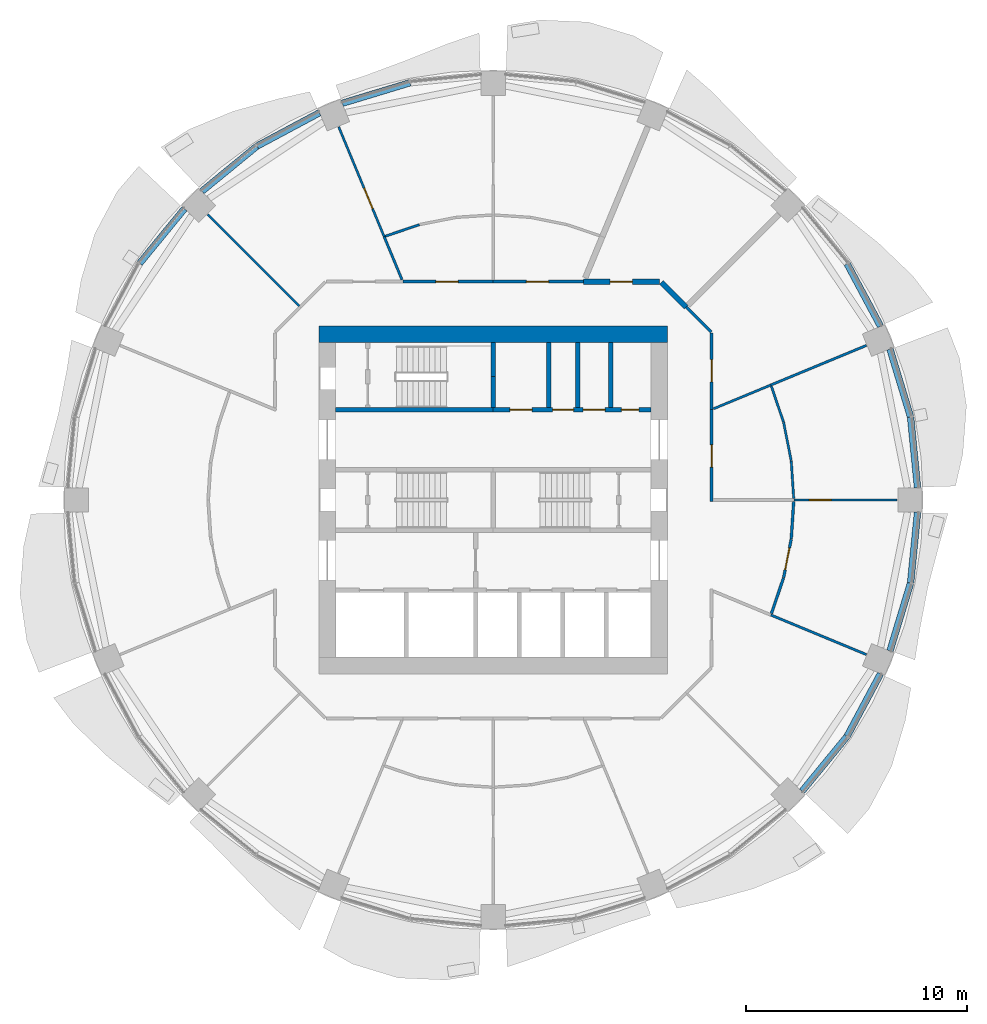
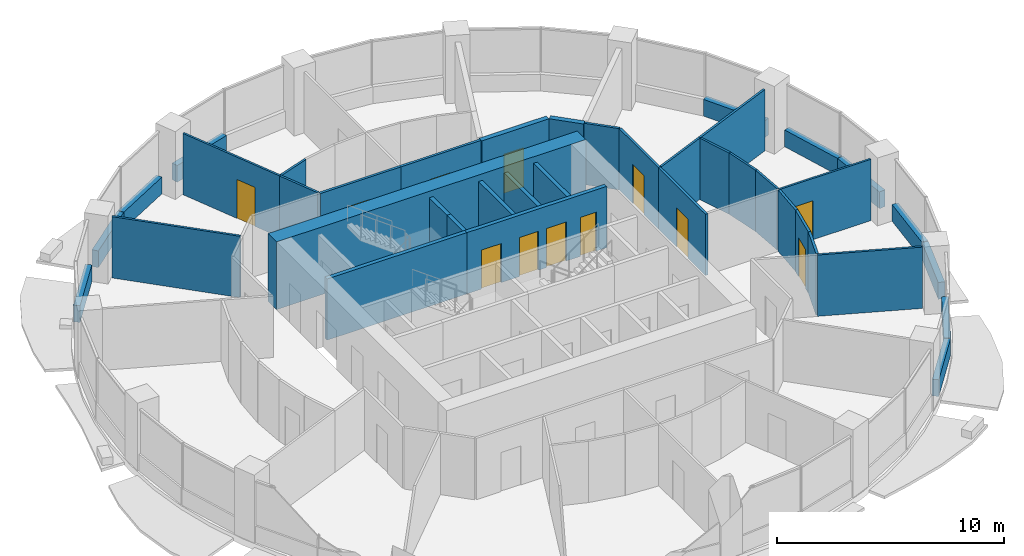
# One storey, part 10 of 15: 40 walls, 12 doors, 12 openings.
"""IFC4 building model written with IfcOpenShell, lengths in metres."""

from ifc_helpers import new_model, si_unit, direction, frame, frame_2d, origin, place, context, subcontext, project, spatial, rectangle, extrude, material, layer, layer_set, type_object, element, fill, save


model = new_model("IFC4")

# Units and contexts
model_context = context("Model", 3, precision=1e-05, world=origin(), true_north=direction((0.0, 1.0)))
body_context = subcontext(model_context, "Body", "Model", "MODEL_VIEW")
ifc_project = project(units=[si_unit("LENGTHUNIT", "METRE"), si_unit("AREAUNIT", "SQUARE_METRE"), si_unit("VOLUMEUNIT", "CUBIC_METRE"), si_unit("PLANEANGLEUNIT", "RADIAN"), si_unit("MASSUNIT", "GRAM", prefix="KILO")], contexts=[model_context])

# Site, building, storey
site_placement = place(None, origin())
site = spatial("IfcSite", under=ifc_project, at=site_placement, CompositionType="ELEMENT")
building_placement = place(site_placement, origin())
building = spatial("IfcBuilding", under=site, at=building_placement, Name="Polderwave Tower", CompositionType="ELEMENT")
storey_placement = place(building_placement, frame((0.0, 0.0, 80.050048828125)))
storey = spatial("IfcBuildingStorey", under=building, at=storey_placement, Name="L20", CompositionType="ELEMENT", Elevation=80.050048828125)

# Walls
ifc_material_1 = material(Name="Concrete C70/85", Category="concrete")
ifc_layer_1 = layer(ifc_material_1, 0.75)
ifc_layer_set_1 = layer_set([ifc_layer_1], Name="CORE WALL 750 C70/85")
wall_type_1 = type_object("IfcWallType", Name="CORE WALL 750 C70/85", PredefinedType="SHEAR", material=ifc_layer_set_1)
wall_1_placement = place(storey_placement, frame((-7.8740234375, 7.4990234375, 0.0), z_axis=(0.0, 0.0, 1.0), x_axis=(1.0, 0.0, 0.0)))
element("IfcWall", 1, at=wall_1_placement, inside=storey, type_object=wall_type_1, Name="ST-CORE-L20-N", PredefinedType="SHEAR", context=body_context, shape_type="SweptSolid", body=[
    extrude(rectangle(XDim=15.748046875, YDim=0.75, at=frame_2d((7.8740234375, 0.0))), origin(), (0.0, 0.0, 1.0), 3.64990234375),
])
ifc_material_2 = material(Name="Concrete C50/60 (board-marked)", Category="concrete")
ifc_layer_2 = layer(ifc_material_2, 0.300048828125)
ifc_layer_set_2 = layer_set([ifc_layer_2], Name="Concrete spandrel upstand C50/60")
wall_type_2 = type_object("IfcWallType", Name="Concrete spandrel upstand C50/60", PredefinedType="SOLIDWALL", material=ifc_layer_set_2)
wall_2_placement = place(storey_placement, frame((19.1845703125, 0.56396484375, 0.0), z_axis=(0.0, 0.0, 1.0), x_axis=(-0.098131861065, 0.995173420989, 0.0)))
element("IfcWall", 2, at=wall_2_placement, inside=storey, type_object=wall_type_2, Name="Spandrel L20 1a", PredefinedType="SOLIDWALL", context=body_context, shape_type="SweptSolid", body=[
    extrude(rectangle(XDim=3.189453125, YDim=0.300048828125, at=frame_2d((1.5947265625, 0.0))), origin(), (0.0, 0.0, 1.0), 0.89990234375),
])
wall_3_placement = place(storey_placement, frame((18.865478515625, 3.767333984375, 0.0), z_axis=(0.0, 0.0, 1.0), x_axis=(-0.290238876314, 0.956954228099, 0.0)))
element("IfcWall", 3, at=wall_3_placement, inside=storey, type_object=wall_type_2, Name="Spandrel L20 1b", PredefinedType="SOLIDWALL", context=body_context, shape_type="SweptSolid", body=[
    extrude(rectangle(XDim=3.190673828125, YDim=0.300048828125, at=frame_2d((1.59521484375, 0.0))), origin(), (0.0, 0.0, 1.0), 0.89990234375),
])
wall_4_placement = place(storey_placement, frame((17.5078125, 7.8623046875, 0.0), z_axis=(0.0, 0.0, 1.0), x_axis=(-0.471354692163, 0.8819437364, 0.0)))
element("IfcWall", 4, at=wall_4_placement, inside=storey, type_object=wall_type_2, Name="Spandrel L20 2a", PredefinedType="SOLIDWALL", context=body_context, shape_type="SweptSolid", body=[
    extrude(rectangle(XDim=3.190185546875, YDim=0.300048828125, at=frame_2d((1.59521484375, 0.0))), origin(), (0.0, 0.0, 1.0), 0.89990234375),
])
wall_5_placement = place(storey_placement, frame((-3.767333984375, 18.865478515625, 0.0), z_axis=(0.0, 0.0, 1.0), x_axis=(-0.956954228099, -0.290238876314, 0.0)))
element("IfcWall", 5, at=wall_5_placement, inside=storey, type_object=wall_type_2, Name="Spandrel L20 5b", PredefinedType="SOLIDWALL", context=body_context, shape_type="SweptSolid", body=[
    extrude(rectangle(XDim=3.190673828125, YDim=0.300048828125, at=frame_2d((1.59521484375, 0.0))), origin(), (0.0, 0.0, 1.0), 0.89990234375),
])
for number, where, z_axis, x_axis, name in (
    (6, (-7.8623046875, 17.5078125, 0.0), (0.0, 0.0, 1.0), (-0.8819437364, -0.471354692163, 0.0), "Spandrel L20 6a"),
    (7, (-10.70068359375, 15.987548828125, 0.0), (0.0, 0.0, 1.0), (-0.773240773387, -0.63411253447, 0.0), "Spandrel L20 6b"),
    (8, (-13.964599609375, 13.16748046875, 0.0), (0.0, 0.0, 1.0), (-0.63411253447, -0.773240773387, 0.0), "Spandrel L20 7a"),
    (9, (13.964599609375, -13.16748046875, 0.0), (0.0, 0.0, 1.0), (0.63411253447, 0.773240773387, 0.0), "Spandrel L20 15a"),
    (10, (16.004150390625, -10.67578125, 0.0), (0.0, 0.0, 1.0), (0.471354692163, 0.8819437364, 0.0), "Spandrel L20 15b"),
):
    element("IfcWall", number, at=place(storey_placement, frame(where, z_axis=z_axis, x_axis=x_axis)), inside=storey, type_object=wall_type_2, Name=name, PredefinedType="SOLIDWALL", context=body_context, shape_type="SweptSolid", body=[
        extrude(rectangle(XDim=3.190185546875, YDim=0.300048828125, at=frame_2d((1.59521484375, 0.0))), origin(), (0.0, 0.0, 1.0), 0.89990234375),
    ])
wall_6_placement = place(storey_placement, frame((17.939453125, -6.820556640625, 0.0), z_axis=(0.0, 0.0, 1.0), x_axis=(0.290238876314, 0.956954228099, 0.0)))
element("IfcWall", 11, at=wall_6_placement, inside=storey, type_object=wall_type_2, Name="Spandrel L20 16a", PredefinedType="SOLIDWALL", context=body_context, shape_type="SweptSolid", body=[
    extrude(rectangle(XDim=3.190673828125, YDim=0.300048828125, at=frame_2d((1.59521484375, 0.0))), origin(), (0.0, 0.0, 1.0), 0.89990234375),
])
wall_7_placement = place(storey_placement, frame((18.87158203125, -3.738037109375, 0.0), z_axis=(0.0, 0.0, 1.0), x_axis=(0.098131861065, 0.995173420989, 0.0)))
element("IfcWall", 12, at=wall_7_placement, inside=storey, type_object=wall_type_2, Name="Spandrel L20 16b", PredefinedType="SOLIDWALL", context=body_context, shape_type="SweptSolid", body=[
    extrude(rectangle(XDim=3.189453125, YDim=0.300048828125, at=frame_2d((1.5947265625, 0.0))), origin(), (0.0, 0.0, 1.0), 0.89990234375),
])
ifc_material_3 = material(Name="Gypsum board partition")
ifc_layer_3 = layer(ifc_material_3, 0.199951171875)
ifc_layer_set_3 = layer_set([ifc_layer_3], Name="Core room partition 200")
wall_type_3 = type_object("IfcWallType", Name="Core room partition 200", PredefinedType="PARTITIONING", material=ifc_layer_set_3)
for number, where, z_axis, x_axis, name in (
    (13, (2.506591796875, 4.174072265625, 0.0), (0.0, 0.0, 1.0), (0.0, 1.0, 0.0), "L20 room partition N1"),
    (14, (3.813720703125, 4.174072265625, 0.0), (0.0, 0.0, 1.0), (0.0, 1.0, 0.0), "L20 room partition N2"),
):
    element("IfcWall", number, at=place(storey_placement, frame(where, z_axis=z_axis, x_axis=x_axis)), inside=storey, type_object=wall_type_3, Name=name, PredefinedType="PARTITIONING", context=body_context, shape_type="SweptSolid", body=[
        extrude(rectangle(XDim=2.949951171875, YDim=0.199951171875, at=frame_2d((1.47509765625, 0.0))), origin(), (0.0, 0.0, 1.0), 3.300048828125),
    ])
ifc_material_4 = material(Name="Concrete C50/60", Category="concrete")
ifc_layer_4 = layer(ifc_material_4, 0.199951171875)
ifc_layer_set_4 = layer_set([ifc_layer_4], Name="Core web wall 200")
wall_type_4 = type_object("IfcWallType", Name="Core web wall 200", PredefinedType="SHEAR", material=ifc_layer_set_4)
wall_8_placement = place(storey_placement, frame((-7.1240234375, 4.073974609375, 0.0), z_axis=(0.0, 0.0, 1.0), x_axis=(1.0, 0.0, 0.0)))
element("IfcWall", 15, at=wall_8_placement, inside=storey, type_object=wall_type_4, Name="L20 north front wall 1", PredefinedType="SHEAR", context=body_context, shape_type="SweptSolid", body=[
    extrude(rectangle(XDim=7.1240234375, YDim=0.199951171875, at=frame_2d((3.56201171875, 0.0))), origin(), (0.0, 0.0, 1.0), 3.300048828125),
])

# Wall, openings, doors
wall_9_placement = place(storey_placement, frame((0.0, 4.073974609375, 0.0), z_axis=(0.0, 0.0, 1.0), x_axis=(1.0, 0.0, 0.0)))
wall_9 = element("IfcWall", 16, at=wall_9_placement, inside=storey, type_object=wall_type_4, Name="L20 north front wall 2", PredefinedType="SHEAR", context=body_context, shape_type="SweptSolid", body=[
    extrude(rectangle(XDim=7.1240234375, YDim=0.199951171875, at=frame_2d((3.56201171875, 0.0))), origin(), (0.0, 0.0, 1.0), 3.300048828125),
])
opening_1_placement = place(wall_9_placement, frame((0.75341796875, 0.0, 0.0)))
opening_1 = element("IfcOpeningElement", 17, at=opening_1_placement, cuts=wall_9, Name="Opening L20-D14", PredefinedType="OPENING", context=body_context, shape_type="SweptSolid", body=[
    extrude(rectangle(XDim=1.0, YDim=2.10009765625, at=frame_2d((0.5, 1.050048828125))), frame((0.0, 0.10986328125, 0.0), z_axis=(0.0, -1.0, 0.0), x_axis=(1.0, 0.0, 0.0)), (0.0, 0.0, 1.0), 0.219970703125),
])
opening_2_placement = place(wall_9_placement, frame((2.685302734375, 0.0, 0.0)))
opening_2 = element("IfcOpeningElement", 18, at=opening_2_placement, cuts=wall_9, Name="Opening L20-D15", PredefinedType="OPENING", context=body_context, shape_type="SweptSolid", body=[
    extrude(rectangle(XDim=0.949951171875, YDim=2.10009765625, at=frame_2d((0.47509765625, 1.050048828125))), frame((0.0, 0.10986328125, 0.0), z_axis=(0.0, -1.0, 0.0), x_axis=(1.0, 0.0, 0.0)), (0.0, 0.0, 1.0), 0.219970703125),
])
opening_3_placement = place(wall_9_placement, frame((4.0595703125, 0.0, 0.0)))
opening_3 = element("IfcOpeningElement", 19, at=opening_3_placement, cuts=wall_9, Name="Opening L20-D16", PredefinedType="OPENING", context=body_context, shape_type="SweptSolid", body=[
    extrude(rectangle(XDim=1.0, YDim=2.10009765625, at=frame_2d((0.5, 1.050048828125))), frame((0.0, 0.10986328125, 0.0), z_axis=(0.0, -1.0, 0.0), x_axis=(1.0, 0.0, 0.0)), (0.0, 0.0, 1.0), 0.219970703125),
])
opening_4_placement = place(wall_9_placement, frame((5.789794921875, 0.0, 0.0)))
opening_4 = element("IfcOpeningElement", 20, at=opening_4_placement, cuts=wall_9, Name="Opening L20-D17", PredefinedType="OPENING", context=body_context, shape_type="SweptSolid", body=[
    extrude(rectangle(XDim=0.800048828125, YDim=2.10009765625, at=frame_2d((0.39990234375, 1.050048828125))), frame((0.0, 0.10986328125, 0.0), z_axis=(0.0, -1.0, 0.0), x_axis=(1.0, 0.0, 0.0)), (0.0, 0.0, 1.0), 0.219970703125),
])
ifc_material_5 = material(Name="Steel fire door", Category="steel")
door_type_1 = type_object("IfcDoorType", Name="Riser door 800", OperationType="NOTDEFINED", PredefinedType="DOOR", material=ifc_material_5)
door_1_placement = place(opening_4_placement, frame((0.800048828125, 0.0, 0.0), z_axis=(0.0, 0.0, 1.0), x_axis=(-1.0, 0.0, 0.0)))
door_1 = element("IfcDoor", 21, at=door_1_placement, inside=storey, type_object=door_type_1, Name="Riser door", OperationType="SINGLE_SWING_LEFT", OverallHeight=2.10009765625, OverallWidth=0.800048828125, PredefinedType="DOOR", context=body_context, shape_type="SweptSolid", body=[
    extrude(rectangle(XDim=0.800048828125, YDim=2.10009765625, at=frame_2d((0.39990234375, 1.050048828125))), frame((0.0, 0.02490234375, 0.0), z_axis=(0.0, -1.0, 0.0), x_axis=(1.0, 0.0, 0.0)), (0.0, 0.0, 1.0), 0.050048828125),
])
fill(opening_4, door_1)
ifc_material_6 = material(Name="Timber door leaf", Category="wood")
door_type_2 = type_object("IfcDoorType", Name="Room door 1000", OperationType="NOTDEFINED", PredefinedType="DOOR", material=ifc_material_6)
door_2_placement = place(opening_1_placement, origin())
door_2 = element("IfcDoor", 22, at=door_2_placement, inside=storey, type_object=door_type_2, Name="Seed store door", OperationType="SINGLE_SWING_LEFT", OverallHeight=2.10009765625, OverallWidth=1.0, PredefinedType="DOOR", context=body_context, shape_type="SweptSolid", body=[
    extrude(rectangle(XDim=1.0, YDim=2.10009765625, at=frame_2d((0.5, 1.050048828125))), frame((0.0, 0.02490234375, 0.0), z_axis=(0.0, -1.0, 0.0), x_axis=(1.0, 0.0, 0.0)), (0.0, 0.0, 1.0), 0.050048828125),
])
fill(opening_1, door_2)
door_3_placement = place(opening_3_placement, origin())
door_3 = element("IfcDoor", 23, at=door_3_placement, inside=storey, type_object=door_type_2, Name="Staff WC door", OperationType="SINGLE_SWING_RIGHT", OverallHeight=2.10009765625, OverallWidth=1.0, PredefinedType="DOOR", context=body_context, shape_type="SweptSolid", body=[
    extrude(rectangle(XDim=1.0, YDim=2.10009765625, at=frame_2d((0.5, 1.050048828125))), frame((0.0, 0.02490234375, 0.0), z_axis=(0.0, -1.0, 0.0), x_axis=(1.0, 0.0, 0.0)), (0.0, 0.0, 1.0), 0.050048828125),
])
fill(opening_3, door_3)
door_type_3 = type_object("IfcDoorType", Name="Room door 950", OperationType="NOTDEFINED", PredefinedType="DOOR", material=ifc_material_6)
door_4_placement = place(opening_2_placement, origin())
door_4 = element("IfcDoor", 24, at=door_4_placement, inside=storey, type_object=door_type_3, Name="Cleaner's store door", OperationType="SINGLE_SWING_LEFT", OverallHeight=2.10009765625, OverallWidth=0.949951171875, PredefinedType="DOOR", context=body_context, shape_type="SweptSolid", body=[
    extrude(rectangle(XDim=0.949951171875, YDim=2.10009765625, at=frame_2d((0.47509765625, 1.050048828125))), frame((0.0, 0.02490234375, 0.0), z_axis=(0.0, -1.0, 0.0), x_axis=(1.0, 0.0, 0.0)), (0.0, 0.0, 1.0), 0.050048828125),
])
fill(opening_2, door_4)

# Walls
wall_10_placement = place(storey_placement, frame((0.0, 4.174072265625, 0.0), z_axis=(0.0, 0.0, 1.0), x_axis=(0.0, 1.0, 0.0)))
element("IfcWall", 25, at=wall_10_placement, inside=storey, type_object=wall_type_4, Name="L20 stair C wall south", PredefinedType="SHEAR", context=body_context, shape_type="SweptSolid", body=[
    extrude(rectangle(XDim=1.39990234375, YDim=0.199951171875, at=frame_2d((0.699951171875, 0.0))), origin(), (0.0, 0.0, 1.0), 3.300048828125),
])
wall_11_placement = place(storey_placement, frame((0.0, 5.573974609375, 0.0), z_axis=(0.0, 0.0, 1.0), x_axis=(0.0, 1.0, 0.0)))
element("IfcWall", 26, at=wall_11_placement, inside=storey, type_object=wall_type_4, Name="L20 stair C wall north", PredefinedType="SHEAR", context=body_context, shape_type="SweptSolid", body=[
    extrude(rectangle(XDim=1.550048828125, YDim=0.199951171875, at=frame_2d((0.77490234375, 0.0))), origin(), (0.0, 0.0, 1.0), 3.300048828125),
])

# Wall, opening, door
ifc_material_7 = material(Name="Fire-resisting board on steel studs", Category="steel")
ifc_layer_5 = layer(ifc_material_7, 0.125)
ifc_layer_set_5 = layer_set([ifc_layer_5], Name="Corridor wall 125 mm EI 60")
wall_type_5 = type_object("IfcWallType", Name="Corridor wall 125 mm EI 60", PredefinedType="PARTITIONING", material=ifc_layer_set_5)
wall_12_placement = place(storey_placement, frame((9.8740234375, 4.08984375, 0.0), z_axis=(0.0, 0.0, 1.0), x_axis=(0.0, -1.0, 0.0)))
wall_12 = element("IfcWall", 27, at=wall_12_placement, inside=storey, type_object=wall_type_5, Name="IN-L20-W001", PredefinedType="PARTITIONING", context=body_context, shape_type="SweptSolid", body=[
    extrude(rectangle(XDim=4.15234375, YDim=0.125, at=frame_2d((2.076171875, 0.0))), origin(), (0.0, 0.0, 1.0), 3.300048828125),
])
opening_5_placement = place(wall_12_placement, frame((1.60009765625, 0.0, 0.0)))
opening_5 = element("IfcOpeningElement", 28, at=opening_5_placement, cuts=wall_12, Name="Opening L20-D50", PredefinedType="OPENING", context=body_context, shape_type="SweptSolid", body=[
    extrude(rectangle(XDim=1.0, YDim=2.10009765625, at=frame_2d((0.5, 1.050048828125))), frame((0.0, 0.072509765625, 0.0), z_axis=(0.0, -1.0, 0.0), x_axis=(1.0, 0.0, 0.0)), (0.0, 0.0, 1.0), 0.14501953125),
])
ifc_material_8 = material(Name="Timber fire door leaf", Category="wood")
door_type_4 = type_object("IfcDoorType", Name="Fire door FD30S 1000 x 2100", OperationType="NOTDEFINED", PredefinedType="DOOR", material=ifc_material_8)
door_5_placement = place(opening_5_placement, origin())
door_5 = element("IfcDoor", 29, at=door_5_placement, inside=storey, type_object=door_type_4, Name="Door L20-D50", OperationType="SINGLE_SWING_RIGHT", OverallHeight=2.10009765625, OverallWidth=1.0, PredefinedType="DOOR", context=body_context, shape_type="SweptSolid", body=[
    extrude(rectangle(XDim=1.0, YDim=2.10009765625, at=frame_2d((0.5, 1.050048828125))), frame((0.0, 0.02490234375, 0.0), z_axis=(0.0, -1.0, 0.0), x_axis=(1.0, 0.0, 0.0)), (0.0, 0.0, 1.0), 0.050048828125),
])
fill(opening_5, door_5)

# Wall
wall_13_placement = place(storey_placement, frame((8.722412109375, 8.722412109375, 0.0), z_axis=(0.0, 0.0, 1.0), x_axis=(0.70718294931, -0.707030604857, 0.0)))
element("IfcWall", 30, at=wall_13_placement, inside=storey, type_object=wall_type_5, Name="IN-L20-W002", PredefinedType="PARTITIONING", context=body_context, shape_type="SweptSolid", body=[
    extrude(rectangle(XDim=1.6025390625, YDim=0.125, at=frame_2d((0.80126953125, 0.0))), origin(), (0.0, 0.0, 1.0), 3.300048828125),
])

# Wall, opening, door
wall_14_placement = place(storey_placement, frame((9.8740234375, 7.545166015625, 0.0), z_axis=(0.0, 0.0, 1.0), x_axis=(0.0, -1.0, 0.0)))
wall_14 = element("IfcWall", 31, at=wall_14_placement, inside=storey, type_object=wall_type_5, Name="IN-L20-W003", PredefinedType="PARTITIONING", context=body_context, shape_type="SweptSolid", body=[
    extrude(rectangle(XDim=3.455322265625, YDim=0.125, at=frame_2d((1.7275390625, 0.0))), origin(), (0.0, 0.0, 1.0), 3.300048828125),
])
opening_6_placement = place(wall_14_placement, frame((1.199951171875, 0.0, 0.0)))
opening_6 = element("IfcOpeningElement", 32, at=opening_6_placement, cuts=wall_14, Name="Opening L20-D51", PredefinedType="OPENING", context=body_context, shape_type="SweptSolid", body=[
    extrude(rectangle(XDim=1.0, YDim=2.10009765625, at=frame_2d((0.5, 1.050048828125))), frame((0.0, 0.072509765625, 0.0), z_axis=(0.0, -1.0, 0.0), x_axis=(1.0, 0.0, 0.0)), (0.0, 0.0, 1.0), 0.14501953125),
])
door_6_placement = place(opening_6_placement, origin())
door_6 = element("IfcDoor", 33, at=door_6_placement, inside=storey, type_object=door_type_4, Name="Door L20-D51", OperationType="SINGLE_SWING_LEFT", OverallHeight=2.10009765625, OverallWidth=1.0, PredefinedType="DOOR", context=body_context, shape_type="SweptSolid", body=[
    extrude(rectangle(XDim=1.0, YDim=2.10009765625, at=frame_2d((0.5, 1.050048828125))), frame((0.0, 0.02490234375, 0.0), z_axis=(0.0, -1.0, 0.0), x_axis=(1.0, 0.0, 0.0)), (0.0, 0.0, 1.0), 0.050048828125),
])
fill(opening_6, door_6)

wall_15_placement = place(storey_placement, frame((0.0, 9.8740234375, 0.0), z_axis=(0.0, 0.0, 1.0), x_axis=(1.0, 0.0, 0.0)))
wall_15 = element("IfcWall", 34, at=wall_15_placement, inside=storey, type_object=wall_type_5, Name="IN-L20-W008", PredefinedType="PARTITIONING", context=body_context, shape_type="SweptSolid", body=[
    extrude(rectangle(XDim=4.08984375, YDim=0.125, at=frame_2d((2.044921875, 0.0))), origin(), (0.0, 0.0, 1.0), 3.300048828125),
])
opening_7_placement = place(wall_15_placement, frame((1.5, 0.0, 0.0)))
opening_7 = element("IfcOpeningElement", 35, at=opening_7_placement, cuts=wall_15, Name="Opening L20-D54", PredefinedType="OPENING", context=body_context, shape_type="SweptSolid", body=[
    extrude(rectangle(XDim=1.0, YDim=2.10009765625, at=frame_2d((0.5, 1.050048828125))), frame((0.0, 0.072509765625, 0.0), z_axis=(0.0, -1.0, 0.0), x_axis=(1.0, 0.0, 0.0)), (0.0, 0.0, 1.0), 0.14501953125),
])
door_7_placement = place(opening_7_placement, origin())
door_7 = element("IfcDoor", 36, at=door_7_placement, inside=storey, type_object=door_type_4, Name="Door L20-D54", OperationType="SINGLE_SWING_LEFT", OverallHeight=2.10009765625, OverallWidth=1.0, PredefinedType="DOOR", context=body_context, shape_type="SweptSolid", body=[
    extrude(rectangle(XDim=1.0, YDim=2.10009765625, at=frame_2d((0.5, 1.050048828125))), frame((0.0, 0.02490234375, 0.0), z_axis=(0.0, -1.0, 0.0), x_axis=(1.0, 0.0, 0.0)), (0.0, 0.0, 1.0), 0.050048828125),
])
fill(opening_7, door_7)

wall_16_placement = place(storey_placement, frame((-4.08984375, 9.8740234375, 0.0), z_axis=(0.0, 0.0, 1.0), x_axis=(1.0, 0.0, 0.0)))
wall_16 = element("IfcWall", 37, at=wall_16_placement, inside=storey, type_object=wall_type_5, Name="IN-L20-W009", PredefinedType="PARTITIONING", context=body_context, shape_type="SweptSolid", body=[
    extrude(rectangle(XDim=4.08984375, YDim=0.125, at=frame_2d((2.044921875, 0.0))), origin(), (0.0, 0.0, 1.0), 3.300048828125),
])
opening_8_placement = place(wall_16_placement, frame((1.5, 0.0, 0.0)))
opening_8 = element("IfcOpeningElement", 38, at=opening_8_placement, cuts=wall_16, Name="Opening L20-D55", PredefinedType="OPENING", context=body_context, shape_type="SweptSolid", body=[
    extrude(rectangle(XDim=1.0, YDim=2.10009765625, at=frame_2d((0.5, 1.050048828125))), frame((0.0, 0.072509765625, 0.0), z_axis=(0.0, -1.0, 0.0), x_axis=(1.0, 0.0, 0.0)), (0.0, 0.0, 1.0), 0.14501953125),
])
door_8_placement = place(opening_8_placement, origin())
door_8 = element("IfcDoor", 39, at=door_8_placement, inside=storey, type_object=door_type_4, Name="Door L20-D55", OperationType="SINGLE_SWING_LEFT", OverallHeight=2.10009765625, OverallWidth=1.0, PredefinedType="DOOR", context=body_context, shape_type="SweptSolid", body=[
    extrude(rectangle(XDim=1.0, YDim=2.10009765625, at=frame_2d((0.5, 1.050048828125))), frame((0.0, 0.02490234375, 0.0), z_axis=(0.0, -1.0, 0.0), x_axis=(1.0, 0.0, 0.0)), (0.0, 0.0, 1.0), 0.050048828125),
])
fill(opening_8, door_8)

# Wall
wall_17_placement = place(storey_placement, frame((13.12548828125, -3.521240234375, 0.0), z_axis=(0.0, 0.0, 1.0), x_axis=(-0.321415455279, -0.946938279461, 0.0)))
element("IfcWall", 40, at=wall_17_placement, inside=storey, type_object=wall_type_5, Name="IN-L20-W069", PredefinedType="PARTITIONING", context=body_context, shape_type="SweptSolid", body=[
    extrude(rectangle(XDim=1.706787109375, YDim=0.125, at=frame_2d((0.853515625, 0.0))), origin(), (0.0, 0.0, 1.0), 3.300048828125),
])

# Wall, opening, door
wall_18_placement = place(storey_placement, frame((13.472900390625, -1.77783203125, 0.0), z_axis=(0.0, 0.0, 1.0), x_axis=(-0.195081294896, -0.980787075966, 0.0)))
wall_18 = element("IfcWall", 41, at=wall_18_placement, inside=storey, type_object=wall_type_5, Name="IN-L20-W070", PredefinedType="PARTITIONING", context=body_context, shape_type="SweptSolid", body=[
    extrude(rectangle(XDim=1.76953125, YDim=0.125, at=frame_2d((0.884765625, 0.0))), origin(), (0.0, 0.0, 1.0), 3.300048828125),
])
opening_9_placement = place(wall_18_placement, frame((0.39990234375, 0.0, 0.0)))
opening_9 = element("IfcOpeningElement", 42, at=opening_9_placement, cuts=wall_18, Name="Opening L20-D69", PredefinedType="OPENING", context=body_context, shape_type="SweptSolid", body=[
    extrude(rectangle(XDim=1.0, YDim=2.10009765625, at=frame_2d((0.5, 1.050048828125))), frame((0.0, 0.072509765625, 0.0), z_axis=(0.0, -1.0, 0.0), x_axis=(1.0, 0.0, 0.0)), (0.0, 0.0, 1.0), 0.14501953125),
])
door_9_placement = place(opening_9_placement, origin())
door_9 = element("IfcDoor", 43, at=door_9_placement, inside=storey, type_object=door_type_4, Name="Door L20-D69", OperationType="SINGLE_SWING_RIGHT", OverallHeight=2.10009765625, OverallWidth=1.0, PredefinedType="DOOR", context=body_context, shape_type="SweptSolid", body=[
    extrude(rectangle(XDim=1.0, YDim=2.10009765625, at=frame_2d((0.5, 1.050048828125))), frame((0.0, 0.02490234375, 0.0), z_axis=(0.0, -1.0, 0.0), x_axis=(1.0, 0.0, 0.0)), (0.0, 0.0, 1.0), 0.050048828125),
])
fill(opening_9, door_9)

# Wall
wall_19_placement = place(storey_placement, frame((13.585693359375, -0.066650390625, 0.0), z_axis=(0.0, 0.0, 1.0), x_axis=(-0.06537019983, -0.997861081, 0.0)))
element("IfcWall", 44, at=wall_19_placement, inside=storey, type_object=wall_type_5, Name="IN-L20-W071", PredefinedType="PARTITIONING", context=body_context, shape_type="SweptSolid", body=[
    extrude(rectangle(XDim=1.706787109375, YDim=0.125, at=frame_2d((0.853515625, 0.0))), origin(), (0.0, 0.0, 1.0), 3.300048828125),
])

# Wall, opening, door
ifc_material_9 = material(Name="Plasterboard on steel studs", Category="steel")
ifc_layer_6 = layer(ifc_material_9, 0.10009765625)
ifc_layer_set_6 = layer_set([ifc_layer_6], Name="Partition 100 mm plasterboard on steel studs")
wall_type_6 = type_object("IfcWallType", Name="Partition 100 mm plasterboard on steel studs", PredefinedType="PARTITIONING", material=ifc_layer_set_6)
wall_20_placement = place(storey_placement, frame((13.590087890625, 0.0, 0.0), z_axis=(0.0, 0.0, 1.0), x_axis=(1.0, 0.0, 0.0)))
wall_20 = element("IfcWall", 45, at=wall_20_placement, inside=storey, type_object=wall_type_6, Name="IN-L20-W028", PredefinedType="PARTITIONING", context=body_context, shape_type="SweptSolid", body=[
    extrude(rectangle(XDim=4.669921875, YDim=0.10009765625, at=frame_2d((2.3349609375, 0.0))), origin(), (0.0, 0.0, 1.0), 3.300048828125),
])
opening_10_placement = place(wall_20_placement, frame((0.699951171875, 0.0, 0.0)))
opening_10 = element("IfcOpeningElement", 46, at=opening_10_placement, cuts=wall_20, Name="Opening L20-D63", PredefinedType="OPENING", context=body_context, shape_type="SweptSolid", body=[
    extrude(rectangle(XDim=1.0, YDim=2.10009765625, at=frame_2d((0.5, 1.050048828125))), frame((0.0, 0.06005859375, 0.0), z_axis=(0.0, -1.0, 0.0), x_axis=(1.0, 0.0, 0.0)), (0.0, 0.0, 1.0), 0.1201171875),
])
ifc_material_10 = material(Name="Timber veneer door leaf", Category="wood")
door_type_5 = type_object("IfcDoorType", Name="Single door 1000 x 2100", OperationType="NOTDEFINED", PredefinedType="DOOR", material=ifc_material_10)
door_10_placement = place(opening_10_placement, origin())
door_10 = element("IfcDoor", 47, at=door_10_placement, inside=storey, type_object=door_type_5, Name="Door L20-D63", OperationType="SINGLE_SWING_LEFT", OverallHeight=2.10009765625, OverallWidth=1.0, PredefinedType="DOOR", context=body_context, shape_type="SweptSolid", body=[
    extrude(rectangle(XDim=1.0, YDim=2.10009765625, at=frame_2d((0.5, 1.050048828125))), frame((0.0, 0.02490234375, 0.0), z_axis=(0.0, -1.0, 0.0), x_axis=(1.0, 0.0, 0.0)), (0.0, 0.0, 1.0), 0.050048828125),
])
fill(opening_10, door_10)

wall_21_placement = place(storey_placement, frame((-6.98779296875, 16.8701171875, 0.0), z_axis=(0.0, 0.0, 1.0), x_axis=(0.382658286204, -0.923889947991, 0.0)))
wall_21 = element("IfcWall", 48, at=wall_21_placement, inside=storey, type_object=wall_type_6, Name="IN-L20-W041", PredefinedType="PARTITIONING", context=body_context, shape_type="SweptSolid", body=[
    extrude(rectangle(XDim=5.3701171875, YDim=0.10009765625, at=frame_2d((2.68505859375, 0.0))), origin(), (0.0, 0.0, 1.0), 3.300048828125),
])
opening_11_placement = place(wall_21_placement, frame((3.0, 0.0, 0.0)))
opening_11 = element("IfcOpeningElement", 49, at=opening_11_placement, cuts=wall_21, Name="Opening L20-D65", PredefinedType="OPENING", context=body_context, shape_type="SweptSolid", body=[
    extrude(rectangle(XDim=1.0, YDim=2.10009765625, at=frame_2d((0.5, 1.050048828125))), frame((0.0, 0.06005859375, 0.0), z_axis=(0.0, -1.0, 0.0), x_axis=(1.0, 0.0, 0.0)), (0.0, 0.0, 1.0), 0.1201171875),
])
door_11_placement = place(opening_11_placement, origin())
door_11 = element("IfcDoor", 50, at=door_11_placement, inside=storey, type_object=door_type_5, Name="Door L20-D65", OperationType="SINGLE_SWING_RIGHT", OverallHeight=2.10009765625, OverallWidth=1.0, PredefinedType="DOOR", context=body_context, shape_type="SweptSolid", body=[
    extrude(rectangle(XDim=1.0, YDim=2.10009765625, at=frame_2d((0.5, 1.050048828125))), frame((0.0, 0.02490234375, 0.0), z_axis=(0.0, -1.0, 0.0), x_axis=(1.0, 0.0, 0.0)), (0.0, 0.0, 1.0), 0.050048828125),
])
fill(opening_11, door_11)

# Walls
ifc_material_11 = material(Name="Moisture-resistant board on steel studs, tiled", Category="steel")
ifc_layer_7 = layer(ifc_material_11, 0.10498046875)
ifc_layer_set_7 = layer_set([ifc_layer_7], Name="Partition 105 mm wet room board and tile")
wall_type_7 = type_object("IfcWallType", Name="Partition 105 mm wet room board and tile", PredefinedType="PARTITIONING", material=ifc_layer_set_7)
wall_22_placement = place(storey_placement, frame((12.57421875, 5.145263671875, 0.0), z_axis=(0.0, 0.0, 1.0), x_axis=(0.32147409201, -0.946918374606, 0.0)))
element("IfcWall", 51, at=wall_22_placement, inside=storey, type_object=wall_type_7, Name="IN-L20-W022", PredefinedType="PARTITIONING", context=body_context, shape_type="SweptSolid", body=[
    extrude(rectangle(XDim=1.715576171875, YDim=0.10498046875, at=frame_2d((0.85791015625, 0.0))), origin(), (0.0, 0.0, 1.0), 3.300048828125),
])
wall_23_placement = place(storey_placement, frame((13.127685546875, 3.513916015625, 0.0), z_axis=(0.0, 0.0, 1.0), x_axis=(0.194975762397, -0.980808060773, 0.0)))
element("IfcWall", 52, at=wall_23_placement, inside=storey, type_object=wall_type_7, Name="IN-L20-W023", PredefinedType="PARTITIONING", context=body_context, shape_type="SweptSolid", body=[
    extrude(rectangle(XDim=1.7705078125, YDim=0.10498046875, at=frame_2d((0.88525390625, 0.0))), origin(), (0.0, 0.0, 1.0), 3.300048828125),
])
wall_24_placement = place(storey_placement, frame((13.473876953125, 1.7705078125, 0.0), z_axis=(0.0, 0.0, 1.0), x_axis=(0.065456571456, -0.997855419013, 0.0)))
element("IfcWall", 53, at=wall_24_placement, inside=storey, type_object=wall_type_7, Name="IN-L20-W024", PredefinedType="PARTITIONING", context=body_context, shape_type="SweptSolid", body=[
    extrude(rectangle(XDim=1.708251953125, YDim=0.10498046875, at=frame_2d((0.85400390625, 0.0))), origin(), (0.0, 0.0, 1.0), 3.300048828125),
])
wall_25_placement = place(storey_placement, frame((9.95654296875, 4.1240234375, 0.0), z_axis=(0.0, 0.0, 1.0), x_axis=(0.923858155589, 0.382735036745, 0.0)))
element("IfcWall", 54, at=wall_25_placement, inside=storey, type_object=wall_type_7, Name="IN-L20-W025", PredefinedType="PARTITIONING", context=body_context, shape_type="SweptSolid", body=[
    extrude(rectangle(XDim=2.81298828125, YDim=0.10498046875, at=frame_2d((1.406494140625, 0.0))), origin(), (0.0, 0.0, 1.0), 3.300048828125),
])
ifc_material_12 = material(Name="Acoustic double plasterboard on steel studs", Category="steel")
ifc_layer_8 = layer(ifc_material_12, 0.110107421875)
ifc_layer_set_8 = layer_set([ifc_layer_8], Name="Partition 110 mm acoustic double board")
wall_type_8 = type_object("IfcWallType", Name="Partition 110 mm acoustic double board", PredefinedType="PARTITIONING", material=ifc_layer_set_8)
wall_26_placement = place(storey_placement, frame((12.555419921875, 5.20068359375, 0.0), z_axis=(0.0, 0.0, 1.0), x_axis=(0.923886856779, 0.38266574954, 0.0)))
element("IfcWall", 55, at=wall_26_placement, inside=storey, type_object=wall_type_8, Name="IN-L20-W027", PredefinedType="PARTITIONING", context=body_context, shape_type="SweptSolid", body=[
    extrude(rectangle(XDim=4.670166015625, YDim=0.110107421875, at=frame_2d((2.3349609375, 0.0))), origin(), (0.0, 0.0, 1.0), 3.300048828125),
])
wall_27_placement = place(storey_placement, frame((-4.877197265625, 11.927734375, 0.0), z_axis=(0.0, 0.0, 1.0), x_axis=(0.946924771347, 0.321455249466, 0.0)))
element("IfcWall", 56, at=wall_27_placement, inside=storey, type_object=wall_type_8, Name="IN-L20-W037", PredefinedType="PARTITIONING", context=body_context, shape_type="SweptSolid", body=[
    extrude(rectangle(XDim=1.623779296875, YDim=0.110107421875, at=frame_2d((0.81201171875, 0.0))), origin(), (0.0, 0.0, 1.0), 3.300048828125),
])
wall_28_placement = place(storey_placement, frame((-4.12451171875, 9.95751953125, 0.0), z_axis=(0.0, 0.0, 1.0), x_axis=(-0.382743146737, 0.923854795748, 0.0)))
element("IfcWall", 57, at=wall_28_placement, inside=storey, type_object=wall_type_8, Name="IN-L20-W040", PredefinedType="PARTITIONING", context=body_context, shape_type="SweptSolid", body=[
    extrude(rectangle(XDim=2.112060546875, YDim=0.110107421875, at=frame_2d((1.05615234375, 0.0))), origin(), (0.0, 0.0, 1.0), 3.300048828125),
])
wall_29_placement = place(storey_placement, frame((-8.7666015625, 8.7666015625, 0.0), z_axis=(0.0, 0.0, 1.0), x_axis=(-0.707106781187, 0.707106781187, 0.0)))
element("IfcWall", 58, at=wall_29_placement, inside=storey, type_object=wall_type_8, Name="IN-L20-W042", PredefinedType="PARTITIONING", context=body_context, shape_type="SweptSolid", body=[
    extrude(rectangle(XDim=5.8623046875, YDim=0.110107421875, at=frame_2d((2.93115234375, 0.0))), origin(), (0.0, 0.0, 1.0), 3.300048828125),
])
wall_30_placement = place(storey_placement, frame((12.555419921875, -5.20068359375, 0.0), z_axis=(0.0, 0.0, 1.0), x_axis=(0.923886856779, -0.38266574954, 0.0)))
element("IfcWall", 59, at=wall_30_placement, inside=storey, type_object=wall_type_8, Name="IN-L20-W068", PredefinedType="PARTITIONING", context=body_context, shape_type="SweptSolid", body=[
    extrude(rectangle(XDim=4.670166015625, YDim=0.110107421875, at=frame_2d((2.3349609375, 0.0))), origin(), (0.0, 0.0, 1.0), 3.300048828125),
])

# Wall, opening, door
ifc_material_13 = material(Name="Fire-resisting board on steel studs, mineral wool", Category="steel")
ifc_layer_9 = layer(ifc_material_13, 0.25)
ifc_layer_set_9 = layer_set([ifc_layer_9], Name="Plant room wall 250 mm EI 120")
wall_type_9 = type_object("IfcWallType", Name="Plant room wall 250 mm EI 120", PredefinedType="PARTITIONING", material=ifc_layer_set_9)
wall_31_placement = place(storey_placement, frame((4.08984375, 9.8740234375, 0.0), z_axis=(0.0, 0.0, 1.0), x_axis=(1.0, 0.0, 0.0)))
wall_31 = element("IfcWall", 60, at=wall_31_placement, inside=storey, type_object=wall_type_9, Name="IN-L20-W006", PredefinedType="PARTITIONING", context=body_context, shape_type="SweptSolid", body=[
    extrude(rectangle(XDim=3.429443359375, YDim=0.25, at=frame_2d((1.71484375, 0.0))), origin(), (0.0, 0.0, 1.0), 3.300048828125),
])
opening_12_placement = place(wall_31_placement, frame((1.199951171875, 0.0, 0.0)))
opening_12 = element("IfcOpeningElement", 61, at=opening_12_placement, cuts=wall_31, Name="Opening L20-D53", PredefinedType="OPENING", context=body_context, shape_type="SweptSolid", body=[
    extrude(rectangle(XDim=1.0, YDim=2.10009765625, at=frame_2d((0.5, 1.050048828125))), frame((0.0, 0.135009765625, 0.0), z_axis=(0.0, -1.0, 0.0), x_axis=(1.0, 0.0, 0.0)), (0.0, 0.0, 1.0), 0.27001953125),
])
ifc_material_14 = material(Name="Steel plant door leaf", Category="steel")
door_type_6 = type_object("IfcDoorType", Name="Plant door FD60 1000 x 2100 steel", OperationType="NOTDEFINED", PredefinedType="DOOR", material=ifc_material_14)
door_12_placement = place(opening_12_placement, origin())
door_12 = element("IfcDoor", 62, at=door_12_placement, inside=storey, type_object=door_type_6, Name="Door L20-D53", OperationType="SINGLE_SWING_LEFT", OverallHeight=2.10009765625, OverallWidth=1.0, PredefinedType="DOOR", context=body_context, shape_type="SweptSolid", body=[
    extrude(rectangle(XDim=1.0, YDim=2.10009765625, at=frame_2d((0.5, 1.050048828125))), frame((0.0, 0.02490234375, 0.0), z_axis=(0.0, -1.0, 0.0), x_axis=(1.0, 0.0, 0.0)), (0.0, 0.0, 1.0), 0.050048828125),
])
fill(opening_12, door_12)

# Walls
wall_32_placement = place(storey_placement, frame((7.607666015625, 9.83740234375, 0.0), z_axis=(0.0, 0.0, 1.0), x_axis=(0.707029353672, -0.707184200224, 0.0)))
element("IfcWall", 63, at=wall_32_placement, inside=storey, type_object=wall_type_9, Name="IN-L20-W007", PredefinedType="PARTITIONING", context=body_context, shape_type="SweptSolid", body=[
    extrude(rectangle(XDim=1.57666015625, YDim=0.25, at=frame_2d((0.788330078125, 0.0))), origin(), (0.0, 0.0, 1.0), 3.300048828125),
])
ifc_material_15 = material(Name="Gypsum shaft wall system")
ifc_layer_10 = layer(ifc_material_15, 0.199951171875)
ifc_layer_set_10 = layer_set([ifc_layer_10], Name="Shaft wall 200")
wall_type_10 = type_object("IfcWallType", Name="Shaft wall 200", PredefinedType="PARTITIONING", material=ifc_layer_set_10)
wall_33_placement = place(storey_placement, frame((5.305419921875, 4.174072265625, 0.0), z_axis=(0.0, 0.0, 1.0), x_axis=(0.0, 1.0, 0.0)))
element("IfcWall", 64, at=wall_33_placement, inside=storey, type_object=wall_type_10, Name="L20 riser wall", PredefinedType="PARTITIONING", context=body_context, shape_type="SweptSolid", body=[
    extrude(rectangle(XDim=2.949951171875, YDim=0.199951171875, at=frame_2d((1.47509765625, 0.0))), origin(), (0.0, 0.0, 1.0), 3.300048828125),
])

save(model, "model.ifc")
